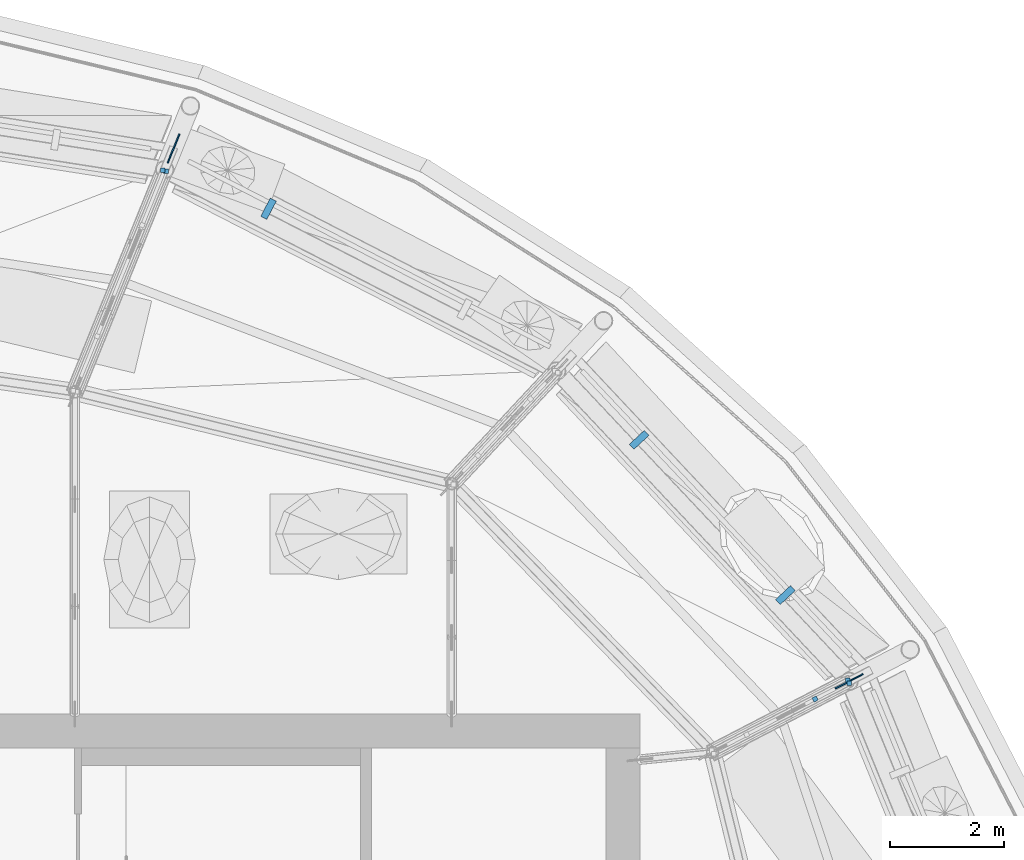
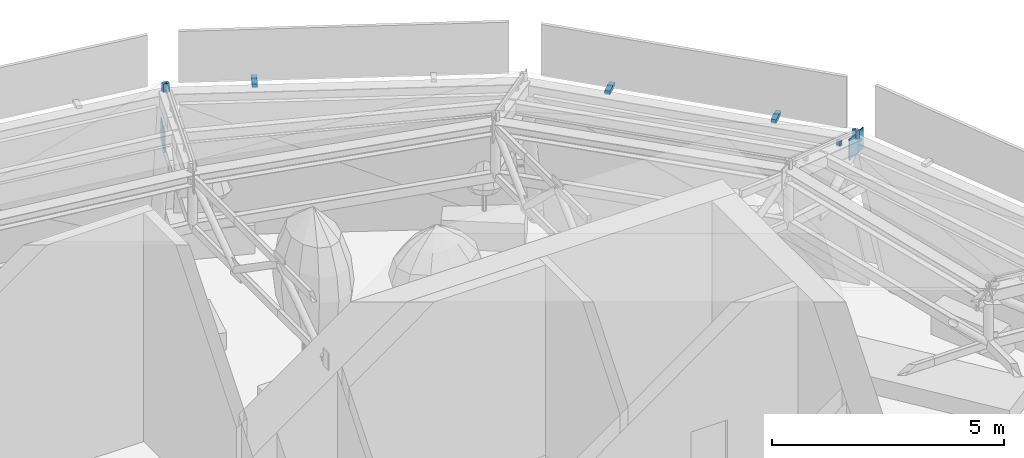
# One storey, part 28 of 40: 10 discrete accessories.
"""IFC4 building model written with IfcOpenShell, lengths in metres."""

from ifc_helpers import new_model, si_unit, direction, frame, origin, origin_2d, place, context, subcontext, project, spatial, rectangle, extrude, material, type_object, element, save


model = new_model("IFC4")

# Units and contexts
model_context = context("Model", 3, precision=1e-05, world=origin(), true_north=direction((0.0, 1.0)))
body_context = subcontext(model_context, "Body", "Model", "MODEL_VIEW")
ifc_project = project(units=[si_unit("LENGTHUNIT", "METRE"), si_unit("AREAUNIT", "SQUARE_METRE"), si_unit("VOLUMEUNIT", "CUBIC_METRE"), si_unit("PLANEANGLEUNIT", "RADIAN"), si_unit("MASSUNIT", "GRAM", prefix="KILO")], contexts=[model_context])

# Site, building, storey
site_placement = place(None, origin())
site = spatial("IfcSite", under=ifc_project, at=site_placement, CompositionType="ELEMENT")
building_placement = place(site_placement, origin())
building = spatial("IfcBuilding", under=site, at=building_placement, Name="Taillehof Tower", CompositionType="ELEMENT")
storey_placement = place(building_placement, frame((0.0, 0.0, 275.199951171875)))
storey = spatial("IfcBuildingStorey", under=building, at=storey_placement, Name="L77", CompositionType="ELEMENT", Elevation=275.199951171875)

# Discrete accessories
ifc_material_1 = material(Name="Steel S460M", Category="steel")
discrete_accessory_type_1 = type_object("IfcDiscreteAccessoryType", Name="Steel bracket", PredefinedType="BRACKET", material=ifc_material_1)
discrete_accessory_1_placement = place(storey_placement, frame((19.66162109375, 10.537109375, 4.4443359375), z_axis=(0.0, 0.0, 1.0), x_axis=(1.0, 0.0, 0.0)))
element("IfcDiscreteAccessory", 1, at=discrete_accessory_1_placement, inside=storey, type_object=discrete_accessory_type_1, Name="Canopy glazing seat", PredefinedType="BRACKET", context=body_context, shape_type="SweptSolid", body=[
    extrude(rectangle(XDim=0.080078125, YDim=0.080078125, at=origin_2d()), origin(), (0.0, 0.0, 1.0), 0.234619140625),
])
discrete_accessory_2_placement = place(storey_placement, frame((19.06396484375, 10.260498046875, 4.64013671875), z_axis=(0.0, 0.0, 1.0), x_axis=(-0.887204977416, -0.461375474044, 0.0)))
element("IfcDiscreteAccessory", 2, at=discrete_accessory_2_placement, inside=storey, type_object=discrete_accessory_type_1, Name="Canopy glazing seat", PredefinedType="BRACKET", context=body_context, shape_type="SweptSolid", body=[
    extrude(rectangle(XDim=0.080078125, YDim=0.080078125, at=origin_2d()), origin(), (0.0, 0.0, 1.0), 0.142578125),
])
for number, where, z_axis, x_axis, name in (
    (3, (19.632080078125, 10.58837890625, 4.443359375), (0.0, 0.0, 1.0), (1.0, 0.0, 0.0), "Canopy glazing seat"),
    (4, (7.69775390625, 19.504638671875, 4.44287109375), (0.0, 0.0, 1.0), (1.0, 0.0, 0.0), "Canopy glazing seat"),
    (5, (7.642822265625, 19.52099609375, 4.443359375), (0.0, 0.0, 1.0), (1.0, 0.0, 0.0), "Canopy glazing seat"),
):
    element("IfcDiscreteAccessory", number, at=place(storey_placement, frame(where, z_axis=z_axis, x_axis=x_axis)), inside=storey, type_object=discrete_accessory_type_1, Name=name, PredefinedType="BRACKET", context=body_context, shape_type="SweptSolid", body=[
        extrude(rectangle(XDim=0.080078125, YDim=0.080078125, at=origin_2d()), origin(), (0.0, 0.0, 1.0), 0.234619140625),
    ])
for number, where, z_axis, x_axis, name in (
    (6, (18.54345703125, 12.080810546875, 4.429931640625), (0.0, 0.0, 1.0), (0.731498903064, 0.681842617336, 0.0), "Crown fascia bracket"),
    (7, (15.982421875, 14.79833984375, 4.429931640625), (0.0, 0.0, 1.0), (0.731498903064, 0.681842617336, 0.0), "Crown fascia bracket"),
    (8, (9.49365234375, 18.845947265625, 4.429931640625), (0.0, 0.0, 1.0), (0.46114473719, 0.887324929979, 0.0), "Crown fascia bracket"),
):
    element("IfcDiscreteAccessory", number, at=place(storey_placement, frame(where, z_axis=z_axis, x_axis=x_axis)), inside=storey, type_object=discrete_accessory_type_1, Name=name, PredefinedType="BRACKET", context=body_context, shape_type="SweptSolid", body=[
        extrude(rectangle(XDim=0.360107421875, YDim=0.1201171875, at=origin_2d()), origin(), (0.0, 0.0, 1.0), 0.10009765625),
    ])
ifc_material_2 = material(Name="Steel S460M", Category="steel")
discrete_accessory_type_2 = type_object("IfcDiscreteAccessoryType", Name="Steel gusset plate", PredefinedType="BRACKET", material=ifc_material_2)
for number, where, z_axis, x_axis, name in (
    (9, (7.830078125, 19.89990234375, 2.72509765625), (0.0, 0.0, 1.0), (-0.374839608301, -0.927089676379, 0.0), "Gusset plate 396"),
    (10, (19.659912109375, 10.570068359375, 4.02490234375), (0.0, 0.0, 1.0), (-0.887313661822, -0.461166418491, 0.0), "Gusset plate 424"),
):
    element("IfcDiscreteAccessory", number, at=place(storey_placement, frame(where, z_axis=z_axis, x_axis=x_axis)), inside=storey, type_object=discrete_accessory_type_2, Name=name, PredefinedType="BRACKET", context=body_context, shape_type="SweptSolid", body=[
        extrude(rectangle(XDim=0.550048828125, YDim=0.02490234375, at=origin_2d()), origin(), (0.0, 0.0, 1.0), 0.550048828125),
    ])

save(model, "model.ifc")
